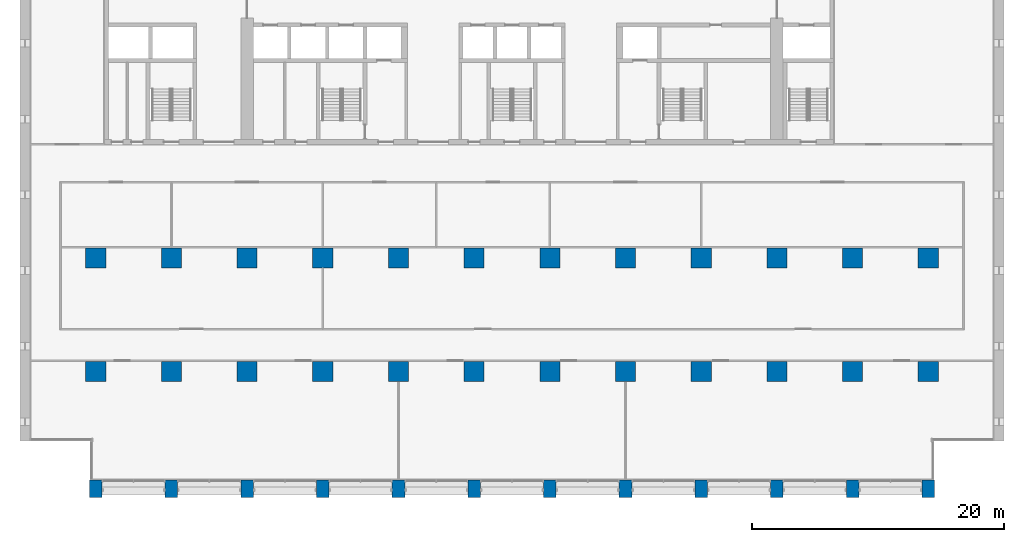
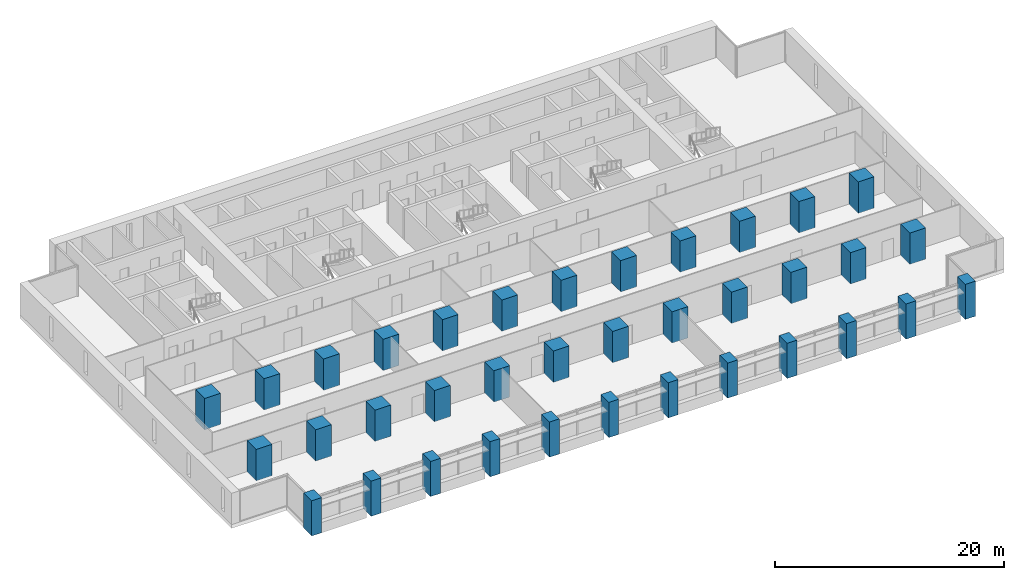
# One storey, part 1 of 17: 36 columns.
"""IFC4 building model written with IfcOpenShell, lengths in metres."""

from ifc_helpers import new_model, si_unit, direction, frame, origin, origin_2d, place, context, subcontext, project, spatial, rectangle, extrude, material, material_profile, profile_set, type_object, element, save


model = new_model("IFC4")

# Units and contexts
model_context = context("Model", 3, precision=1e-05, world=origin(), true_north=direction((0.0, 1.0)))
body_context = subcontext(model_context, "Body", "Model", "MODEL_VIEW")
ifc_project = project(units=[si_unit("LENGTHUNIT", "METRE"), si_unit("AREAUNIT", "SQUARE_METRE"), si_unit("VOLUMEUNIT", "CUBIC_METRE"), si_unit("PLANEANGLEUNIT", "RADIAN"), si_unit("MASSUNIT", "GRAM", prefix="KILO")], contexts=[model_context])

# Site, building, storey
site_placement = place(None, origin())
site = spatial("IfcSite", under=ifc_project, at=site_placement, CompositionType="ELEMENT")
building_placement = place(site_placement, origin())
building = spatial("IfcBuilding", under=site, at=building_placement, Name="Calvaro Tower", CompositionType="ELEMENT")
storey_placement = place(building_placement, frame((0.0, 0.0, 67.5)))
storey = spatial("IfcBuildingStorey", under=building, at=storey_placement, Name="L16", CompositionType="ELEMENT", Elevation=67.5)

# Columns
ifc_material_1 = material(Name="Concrete C80/95", Category="concrete")
ifc_material_profile_1 = material_profile(ifc_material_1, rectangle(XDim=1.60009765625, YDim=1.60009765625, at=origin_2d()), Name="RC 1600x1600")
ifc_profile_set_1 = profile_set([ifc_material_profile_1], Name="Concrete C80/95")
column_type_1 = type_object("IfcColumnType", Name="Column 1600x1600 C80/95", PredefinedType="COLUMN", material=ifc_profile_set_1)
for number, where, z_axis, x_axis, name in (
    (1, (6.0, 10.0, 0.0), (0.0, 0.0, 1.0), (1.0, 0.0, 0.0), "Column 2B"),
    (2, (6.0, 19.0, 0.0), (0.0, 0.0, 1.0), (1.0, 0.0, 0.0), "Column 2C"),
    (3, (12.0, 10.0, 0.0), (0.0, 0.0, 1.0), (1.0, 0.0, 0.0), "Column 3B"),
    (4, (12.0, 19.0, 0.0), (0.0, 0.0, 1.0), (1.0, 0.0, 0.0), "Column 3C"),
    (5, (18.0, 10.0, 0.0), (0.0, 0.0, 1.0), (1.0, 0.0, 0.0), "Column 4B"),
    (6, (18.0, 19.0, 0.0), (0.0, 0.0, 1.0), (1.0, 0.0, 0.0), "Column 4C"),
    (7, (24.0, 10.0, 0.0), (0.0, 0.0, 1.0), (1.0, 0.0, 0.0), "Column 5B"),
    (8, (24.0, 19.0, 0.0), (0.0, 0.0, 1.0), (1.0, 0.0, 0.0), "Column 5C"),
    (9, (30.0, 10.0, 0.0), (0.0, 0.0, 1.0), (1.0, 0.0, 0.0), "Column 6B"),
    (10, (30.0, 19.0, 0.0), (0.0, 0.0, 1.0), (1.0, 0.0, 0.0), "Column 6C"),
    (11, (36.0, 10.0, 0.0), (0.0, 0.0, 1.0), (1.0, 0.0, 0.0), "Column 7B"),
    (12, (36.0, 19.0, 0.0), (0.0, 0.0, 1.0), (1.0, 0.0, 0.0), "Column 7C"),
    (13, (42.0, 10.0, 0.0), (0.0, 0.0, 1.0), (1.0, 0.0, 0.0), "Column 8B"),
    (14, (42.0, 19.0, 0.0), (0.0, 0.0, 1.0), (1.0, 0.0, 0.0), "Column 8C"),
    (15, (48.0, 10.0, 0.0), (0.0, 0.0, 1.0), (1.0, 0.0, 0.0), "Column 9B"),
    (16, (48.0, 19.0, 0.0), (0.0, 0.0, 1.0), (1.0, 0.0, 0.0), "Column 9C"),
    (17, (54.0, 10.0, 0.0), (0.0, 0.0, 1.0), (1.0, 0.0, 0.0), "Column 10B"),
    (18, (54.0, 19.0, 0.0), (0.0, 0.0, 1.0), (1.0, 0.0, 0.0), "Column 10C"),
    (19, (60.0, 10.0, 0.0), (0.0, 0.0, 1.0), (1.0, 0.0, 0.0), "Column 11B"),
    (20, (60.0, 19.0, 0.0), (0.0, 0.0, 1.0), (1.0, 0.0, 0.0), "Column 11C"),
    (21, (66.0, 10.0, 0.0), (0.0, 0.0, 1.0), (1.0, 0.0, 0.0), "Column 12B"),
    (22, (66.0, 19.0, 0.0), (0.0, 0.0, 1.0), (1.0, 0.0, 0.0), "Column 12C"),
    (23, (72.0, 10.0, 0.0), (0.0, 0.0, 1.0), (1.0, 0.0, 0.0), "Column 13B"),
    (24, (72.0, 19.0, 0.0), (0.0, 0.0, 1.0), (1.0, 0.0, 0.0), "Column 13C"),
):
    element("IfcColumn", number, at=place(storey_placement, frame(where, z_axis=z_axis, x_axis=x_axis)), inside=storey, type_object=column_type_1, Name=name, PredefinedType="COLUMN", context=body_context, shape_type="SweptSolid", body=[
        extrude(rectangle(XDim=1.60009765625, YDim=1.60009765625, at=origin_2d()), origin(), (0.0, 0.0, 1.0), 3.35009765625),
    ])
ifc_material_2 = material(Name="Concrete C80/95", Category="concrete")
ifc_material_profile_2 = material_profile(ifc_material_2, rectangle(XDim=1.0, YDim=1.39990234375, at=origin_2d()), Name="RC 1000x1400")
ifc_profile_set_2 = profile_set([ifc_material_profile_2], Name="Concrete C80/95")
column_type_2 = type_object("IfcColumnType", Name="Pier 1000x1400 C80/95", PredefinedType="COLUMN", material=ifc_profile_set_2)
for number, where, z_axis, x_axis, name in (
    (25, (6.0, 0.699951171875, -0.39990234375), (0.0, 0.0, 1.0), (1.0, 0.0, 0.0), "South pier 2"),
    (26, (12.0, 0.699951171875, -0.39990234375), (0.0, 0.0, 1.0), (1.0, 0.0, 0.0), "South pier 3"),
    (27, (18.0, 0.699951171875, -0.39990234375), (0.0, 0.0, 1.0), (1.0, 0.0, 0.0), "South pier 4"),
    (28, (24.0, 0.699951171875, -0.39990234375), (0.0, 0.0, 1.0), (1.0, 0.0, 0.0), "South pier 5"),
    (29, (30.0, 0.699951171875, -0.39990234375), (0.0, 0.0, 1.0), (1.0, 0.0, 0.0), "South pier 6"),
    (30, (36.0, 0.699951171875, -0.39990234375), (0.0, 0.0, 1.0), (1.0, 0.0, 0.0), "South pier 7"),
    (31, (42.0, 0.699951171875, -0.39990234375), (0.0, 0.0, 1.0), (1.0, 0.0, 0.0), "South pier 8"),
    (32, (48.0, 0.699951171875, -0.39990234375), (0.0, 0.0, 1.0), (1.0, 0.0, 0.0), "South pier 9"),
    (33, (54.0, 0.699951171875, -0.39990234375), (0.0, 0.0, 1.0), (1.0, 0.0, 0.0), "South pier 10"),
    (34, (60.0, 0.699951171875, -0.39990234375), (0.0, 0.0, 1.0), (1.0, 0.0, 0.0), "South pier 11"),
    (35, (66.0, 0.699951171875, -0.39990234375), (0.0, 0.0, 1.0), (1.0, 0.0, 0.0), "South pier 12"),
    (36, (72.0, 0.699951171875, -0.39990234375), (0.0, 0.0, 1.0), (1.0, 0.0, 0.0), "South pier 13"),
):
    element("IfcColumn", number, at=place(storey_placement, frame(where, z_axis=z_axis, x_axis=x_axis)), inside=storey, type_object=column_type_2, Name=name, PredefinedType="COLUMN", context=body_context, shape_type="SweptSolid", body=[
        extrude(rectangle(XDim=1.0, YDim=1.39990234375, at=origin_2d()), origin(), (0.0, 0.0, 1.0), 3.75),
    ])

save(model, "model.ifc")
